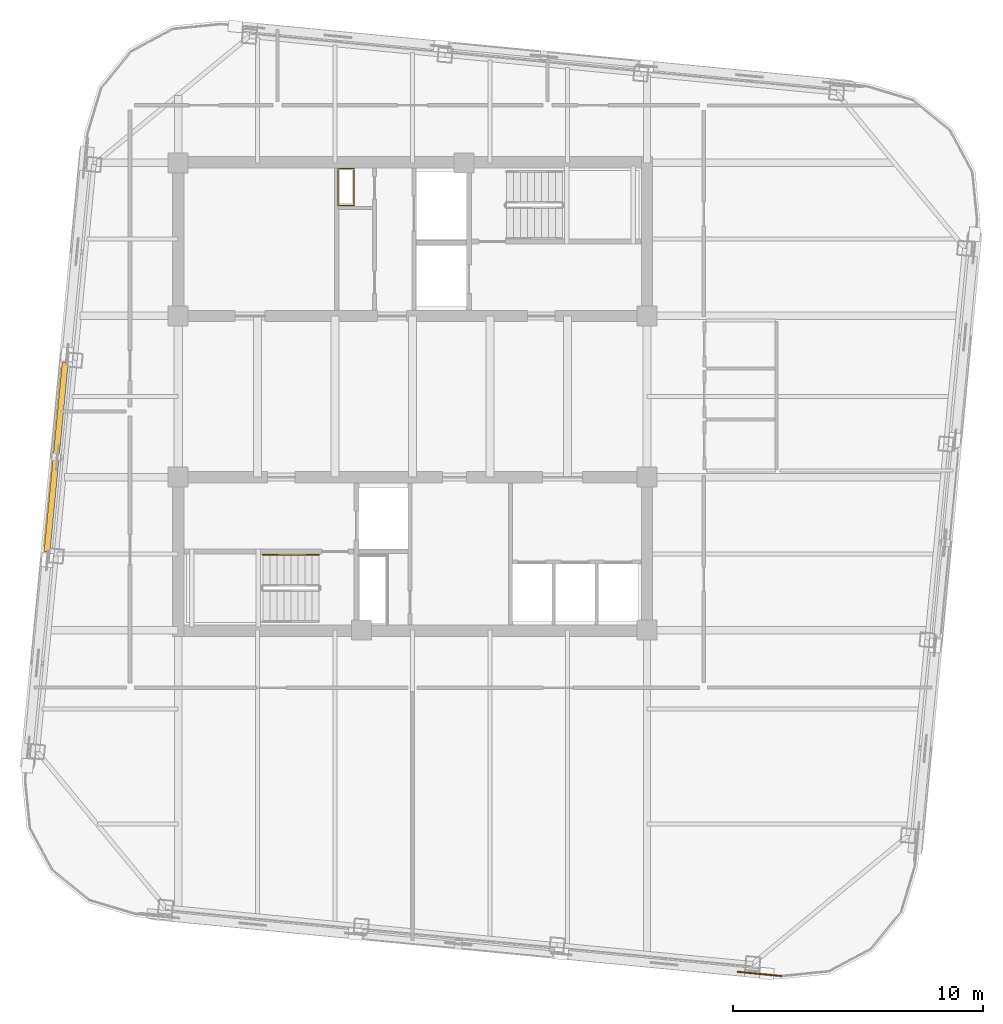
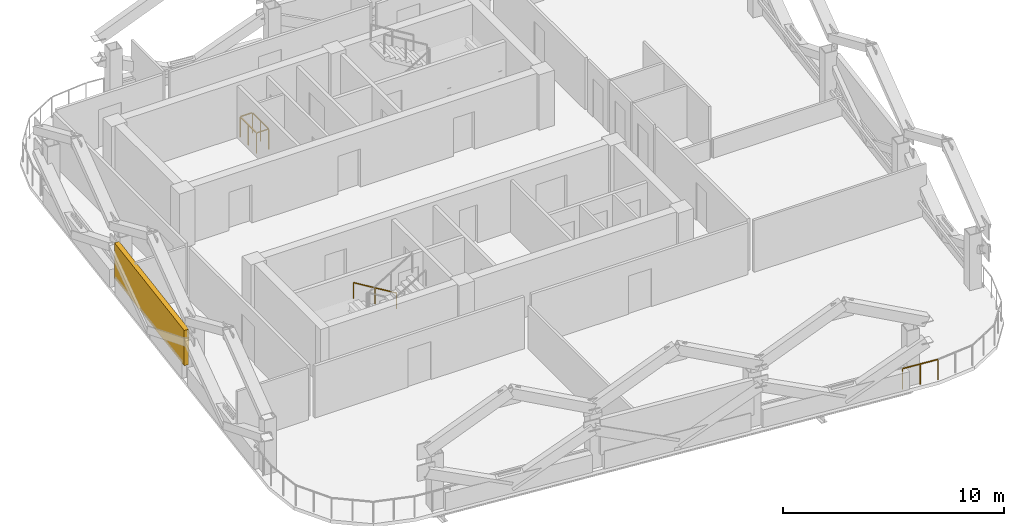
# One storey, part 8 of 10: 3 railings, 1 shading device.
"""IFC4 building model written with IfcOpenShell, lengths in metres."""

from ifc_helpers import new_model, si_unit, direction, frame, origin, origin_2d, place, context, subcontext, project, spatial, rectangle, extrude, material, type_object, element, save


model = new_model("IFC4")

# Units and contexts
model_context = context("Model", 3, precision=1e-05, world=origin(), true_north=direction((0.0, 1.0)))
body_context = subcontext(model_context, "Body", "Model", "MODEL_VIEW")
ifc_project = project(units=[si_unit("LENGTHUNIT", "METRE"), si_unit("AREAUNIT", "SQUARE_METRE"), si_unit("VOLUMEUNIT", "CUBIC_METRE"), si_unit("PLANEANGLEUNIT", "RADIAN"), si_unit("MASSUNIT", "GRAM", prefix="KILO")], contexts=[model_context])

# Site, building, storey
site_placement = place(None, origin())
site = spatial("IfcSite", under=ifc_project, at=site_placement, CompositionType="ELEMENT")
building_placement = place(site_placement, origin())
building = spatial("IfcBuilding", under=site, at=building_placement, Name="Qhalaya Broadcast Tower", CompositionType="ELEMENT")
storey_placement = place(building_placement, frame((0.0, 0.0, 267.25)))
storey = spatial("IfcBuildingStorey", under=building, at=storey_placement, Name="L79", CompositionType="ELEMENT", Elevation=267.25)

# Railings
ifc_material_1 = material(Name="Powder-Coated Galvanised Steel", Category="steel")
railing_type_1 = type_object("IfcRailingType", Name="Stair Wall Handrail 900", PredefinedType="HANDRAIL", material=ifc_material_1)
railing_1_placement = place(storey_placement, frame((-3.75, -5.72998046875, 0.16943359375)))
element("IfcRailing", 1, at=railing_1_placement, inside=storey, type_object=railing_type_1, Name="L79 ST-2 Stair Handrail 1", PredefinedType="HANDRAIL", context=body_context, shape_type="SweptSolid", body=[
    extrude(rectangle(XDim=0.048095703125, YDim=0.048095703125, at=origin_2d()), frame((0.0, 0.0, 0.8759765625), z_axis=(-0.855553338991, 0.0, 0.51771467445), x_axis=(0.0, -1.0, 0.0)), (0.0, 0.0, 1.0), 2.6181640625),
    extrude(rectangle(XDim=0.0419921875, YDim=0.0419921875, at=origin_2d()), origin(), (0.0, 0.0, 1.0), 0.849853515625),
    extrude(rectangle(XDim=0.0419921875, YDim=0.0419921875, at=origin_2d()), frame((-1.1201171875, 0.0, 0.677734375)), (0.0, 0.0, 1.0), 0.849853515625),
    extrude(rectangle(XDim=0.0419921875, YDim=0.0419921875, at=origin_2d()), frame((-2.239990234375, 0.0, 1.35546875)), (0.0, 0.0, 1.0), 0.849853515625),
])
railing_type_2 = type_object("IfcRailingType", Name="Stair Well & Landing Guardrail 1100", PredefinedType="GUARDRAIL", material=ifc_material_1)
railing_2_placement = place(storey_placement, frame((-2.340087890625, 8.239990234375, 0.0)))
element("IfcRailing", 2, at=railing_2_placement, inside=storey, type_object=railing_type_2, Name="L79 Service Riser Opening Safety Guard NRSR", PredefinedType="GUARDRAIL", context=body_context, shape_type="SweptSolid", body=[
    extrude(rectangle(XDim=0.048095703125, YDim=0.048095703125, at=origin_2d()), frame((0.0, 0.02880859375, 1.1259765625), z_axis=(0.0, 1.0, 0.0), x_axis=(-1.0, 0.0, 0.0)), (0.0, 0.0, 1.0), 1.42236328125),
    extrude(rectangle(XDim=0.048095703125, YDim=0.048095703125, at=origin_2d()), frame((-0.02880859375, 1.47998046875, 1.1259765625), z_axis=(-1.0, 0.0, 0.0), x_axis=(0.0, -1.0, 0.0)), (0.0, 0.0, 1.0), 0.582275390625),
    extrude(rectangle(XDim=0.048095703125, YDim=0.048095703125, at=origin_2d()), frame((-0.639892578125, 1.451171875, 1.1259765625), z_axis=(0.0, -1.0, 0.0), x_axis=(1.0, 0.0, 0.0)), (0.0, 0.0, 1.0), 1.42236328125),
    extrude(rectangle(XDim=0.048095703125, YDim=0.048095703125, at=origin_2d()), frame((-0.611083984375, 0.0, 1.1259765625), z_axis=(1.0, 0.0, 0.0), x_axis=(0.0, 1.0, 0.0)), (0.0, 0.0, 1.0), 0.582275390625),
    extrude(rectangle(XDim=0.0419921875, YDim=0.0419921875, at=origin_2d()), origin(), (0.0, 0.0, 1.0), 1.099853515625),
    extrude(rectangle(XDim=0.0419921875, YDim=0.0419921875, at=origin_2d()), frame((0.0, 0.739990234375, 0.0)), (0.0, 0.0, 1.0), 1.099853515625),
    extrude(rectangle(XDim=0.0419921875, YDim=0.0419921875, at=origin_2d()), frame((0.0, 1.47998046875, 0.0)), (0.0, 0.0, 1.0), 1.099853515625),
    extrude(rectangle(XDim=0.0419921875, YDim=0.0419921875, at=origin_2d()), frame((-0.639892578125, 1.47998046875, 0.0)), (0.0, 0.0, 1.0), 1.099853515625),
    extrude(rectangle(XDim=0.0419921875, YDim=0.0419921875, at=origin_2d()), frame((-0.639892578125, 0.739990234375, 0.0)), (0.0, 0.0, 1.0), 1.099853515625),
    extrude(rectangle(XDim=0.0419921875, YDim=0.0419921875, at=origin_2d()), frame((-0.639892578125, 0.0, 0.0)), (0.0, 0.0, 1.0), 1.099853515625),
])
railing_type_3 = type_object("IfcRailingType", Name="Terrace, Sky-Pool & Lookout Glass Balustrade 1150", PredefinedType="BALUSTRADE", material=ifc_material_1)
railing_3_placement = place(storey_placement, frame((14.754638671875, -22.58251953125, 0.0)))
element("IfcRailing", 3, at=railing_3_placement, inside=storey, type_object=railing_type_3, Name="L79 Rounded Corner Perimeter Guard 01", PredefinedType="BALUSTRADE", context=body_context, shape_type="SweptSolid", body=[
    extrude(rectangle(XDim=0.048095703125, YDim=0.048095703125, at=origin_2d()), frame((0.0, 0.0, 1.1259765625), z_axis=(-0.99540189436, 0.09578657894, 0.0), x_axis=(-0.09578657894, -0.99540189436, 0.0)), (0.0, 0.0, 1.0), 1.756103515625),
    extrude(rectangle(XDim=0.0419921875, YDim=0.0419921875, at=origin_2d()), origin(), (0.0, 0.0, 1.0), 1.099853515625),
    extrude(rectangle(XDim=0.0419921875, YDim=0.0419921875, at=origin_2d()), frame((-0.8740234375, 0.083984375, 0.0)), (0.0, 0.0, 1.0), 1.099853515625),
    extrude(rectangle(XDim=0.0419921875, YDim=0.0419921875, at=origin_2d()), frame((-1.748046875, 0.168212890625, 0.0)), (0.0, 0.0, 1.0), 1.099853515625),
])

# Shading device
ifc_material_2 = material(Name="Fired Architectural Terracotta", Category="masonry")
shading_device_type = type_object("IfcShadingDeviceType", Name="Terracotta Baguette Solar Screen Assembly TBS-01", PredefinedType="USERDEFINED", material=ifc_material_2)
shading_device_placement = place(storey_placement, frame((-14.2578125, -1.826171875, 0.80078125), z_axis=(0.0, 0.0, 1.0), x_axis=(-0.09584575252, -0.995396198367, 0.0)))
element("IfcShadingDevice", 4, at=shading_device_placement, inside=storey, type_object=shading_device_type, Name="L79 Fired Terracotta Baguette Screen W", ObjectType="BAGUETTE", PredefinedType="USERDEFINED", context=body_context, shape_type="SweptSolid", body=[
    extrude(rectangle(XDim=7.60009765625, YDim=0.239990234375, at=origin_2d()), origin(), (0.0, 0.0, 1.0), 1.945068359375),
])

save(model, "model.ifc")
